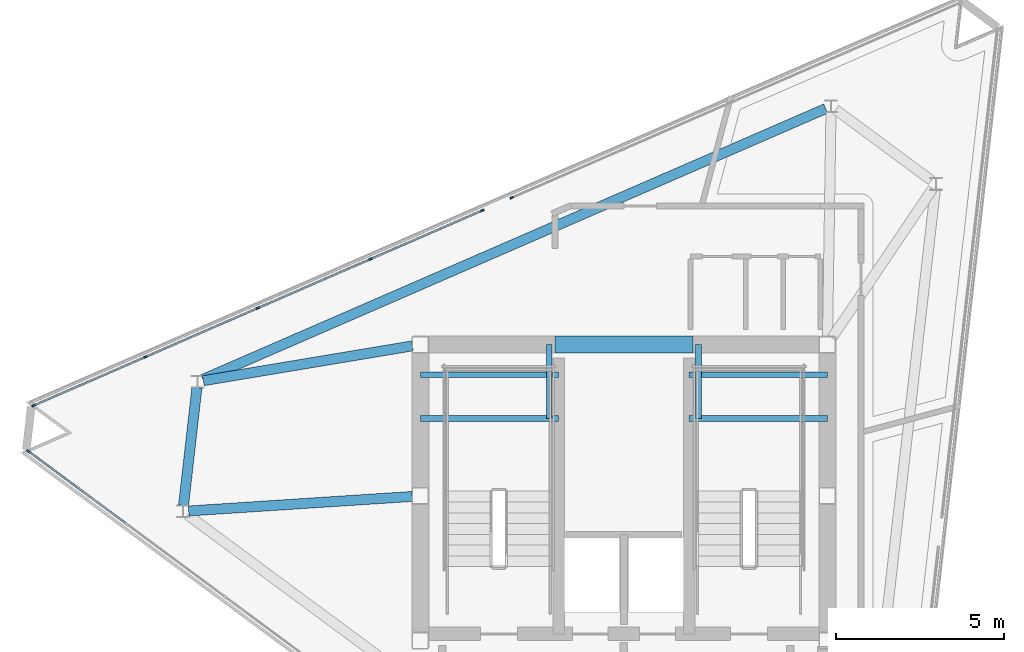
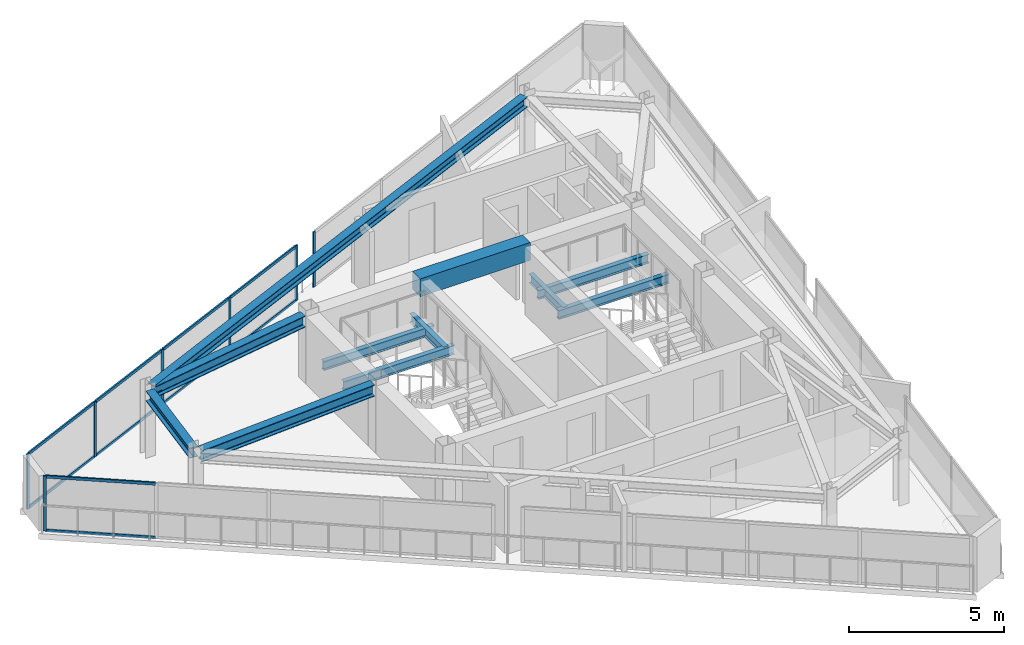
# One storey, part 4 of 9: 17 members, 11 beams, 3 elements without a shape of their own.
"""IFC4 building model written with IfcOpenShell, lengths in metres."""

from ifc_helpers import new_model, si_unit, direction, frame, origin, origin_2d, place, context, subcontext, project, spatial, rectangle, i_section, extrude, material, layer, layer_set, material_profile, profile_set, type_object, element, aggregate, save


model = new_model("IFC4")

# Units and contexts
model_context = context("Model", 3, precision=1e-05, world=origin(), true_north=direction((0.0, 1.0)))
body_context = subcontext(model_context, "Body", "Model", "MODEL_VIEW")
ifc_project = project(units=[si_unit("LENGTHUNIT", "METRE"), si_unit("AREAUNIT", "SQUARE_METRE"), si_unit("VOLUMEUNIT", "CUBIC_METRE"), si_unit("PLANEANGLEUNIT", "RADIAN"), si_unit("MASSUNIT", "GRAM", prefix="KILO")], contexts=[model_context])

# Site, building, storey
site_placement = place(None, origin())
site = spatial("IfcSite", under=ifc_project, at=site_placement, CompositionType="ELEMENT")
building_placement = place(site_placement, origin())
building = spatial("IfcBuilding", under=site, at=building_placement, Name="Rocaltana Carrier Exchange", CompositionType="ELEMENT")
storey_placement = place(building_placement, frame((0.0, 0.0, 243.360107421875)))
storey = spatial("IfcBuildingStorey", under=building, at=storey_placement, Name="L77", CompositionType="ELEMENT", Elevation=243.360107421875)

# Curtain wall, member
ifc_material_1 = material(Name="Aluminium 6063-T6", Category="aluminium")
ifc_layer = layer(ifc_material_1, 0.110107421875)
ifc_layer_set = layer_set([ifc_layer], Name="Aluminium 6063-T6")
curtain_wall_type = type_object("IfcCurtainWallType", Name="Crown Lantern Faceted Curtain Wall CW-06", PredefinedType="NOTDEFINED", material=ifc_layer_set)
curtain_wall_1_placement = place(storey_placement, origin())
curtain_wall_1 = element("IfcCurtainWall", 1, at=curtain_wall_1_placement, inside=storey, type_object=curtain_wall_type, Name="L77 CW-06 Run CW06-L77-F2S1", PredefinedType="NOTDEFINED")
ifc_material_2 = material(Name="Aluminium 6063-T6", Category="aluminium")
ifc_material_profile_1 = material_profile(ifc_material_2, rectangle(XDim=0.054931640625, YDim=0.110107421875, at=origin_2d()), Name="AL-55X110")
ifc_profile_set_1 = profile_set([ifc_material_profile_1], Name="Aluminium 6063-T6")
member_type_1 = type_object("IfcMemberType", Name="CW-06 Mullion AL-55X110", PredefinedType="MULLION", material=ifc_profile_set_1)
member_1_placement = place(storey_placement, frame((-3.3349609375, 8.867431640625, 0.0), z_axis=(0.0, 0.0, 1.0), x_axis=(0.398752158171, -0.917058731137, 0.0)))
member_1 = element("IfcMember", 2, at=member_1_placement, type_object=member_type_1, Name="CW-06 mullion 5", PredefinedType="MULLION", context=body_context, shape_type="SweptSolid", body=[
    extrude(rectangle(XDim=0.054931640625, YDim=0.110107421875, at=origin_2d()), origin(), (0.0, 0.0, 1.0), 2.16796875),
])
aggregate(curtain_wall_1, [member_1])

# Curtain wall, members
curtain_wall_2_placement = place(storey_placement, origin())
curtain_wall_2 = element("IfcCurtainWall", 3, at=curtain_wall_2_placement, inside=storey, type_object=curtain_wall_type, Name="L77 CW-06 Run CW06-L77-F2S2", PredefinedType="NOTDEFINED")
member_2_placement = place(storey_placement, frame((-4.210693359375, 8.486572265625, 0.0), z_axis=(0.0, 0.0, 1.0), x_axis=(0.398752158171, -0.917058731137, 0.0)))
member_2 = element("IfcMember", 4, at=member_2_placement, type_object=member_type_1, Name="CW-06 mullion 1", PredefinedType="MULLION", context=body_context, shape_type="SweptSolid", body=[
    extrude(rectangle(XDim=0.054931640625, YDim=0.110107421875, at=origin_2d()), origin(), (0.0, 0.0, 1.0), 2.16796875),
])
member_3_placement = place(storey_placement, frame((-7.53271484375, 7.042236328125, 0.0), z_axis=(0.0, 0.0, 1.0), x_axis=(0.398752158171, -0.917058731137, 0.0)))
member_3 = element("IfcMember", 5, at=member_3_placement, type_object=member_type_1, Name="CW-06 mullion 2", PredefinedType="MULLION", context=body_context, shape_type="SweptSolid", body=[
    extrude(rectangle(XDim=0.054931640625, YDim=0.110107421875, at=origin_2d()), origin(), (0.0, 0.0, 1.0), 2.16796875),
])
member_4_placement = place(storey_placement, frame((-10.880126953125, 5.586669921875, 0.0), z_axis=(0.0, 0.0, 1.0), x_axis=(0.398752158171, -0.917058731137, 0.0)))
member_4 = element("IfcMember", 6, at=member_4_placement, type_object=member_type_1, Name="CW-06 mullion 3", PredefinedType="MULLION", context=body_context, shape_type="SweptSolid", body=[
    extrude(rectangle(XDim=0.054931640625, YDim=0.110107421875, at=origin_2d()), origin(), (0.0, 0.0, 1.0), 2.16796875),
])
member_5_placement = place(storey_placement, frame((-14.227294921875, 4.13134765625, 0.0), z_axis=(0.0, 0.0, 1.0), x_axis=(0.398752158171, -0.917058731137, 0.0)))
member_5 = element("IfcMember", 7, at=member_5_placement, type_object=member_type_1, Name="CW-06 mullion 4", PredefinedType="MULLION", context=body_context, shape_type="SweptSolid", body=[
    extrude(rectangle(XDim=0.054931640625, YDim=0.110107421875, at=origin_2d()), origin(), (0.0, 0.0, 1.0), 2.16796875),
])
member_6_placement = place(storey_placement, frame((-17.54931640625, 2.686767578125, 0.0), z_axis=(0.0, 0.0, 1.0), x_axis=(0.398752158171, -0.917058731137, 0.0)))
member_6 = element("IfcMember", 8, at=member_6_placement, type_object=member_type_1, Name="CW-06 mullion 5", PredefinedType="MULLION", context=body_context, shape_type="SweptSolid", body=[
    extrude(rectangle(XDim=0.054931640625, YDim=0.110107421875, at=origin_2d()), origin(), (0.0, 0.0, 1.0), 2.16796875),
])

# Curtain wall, member
curtain_wall_3_placement = place(storey_placement, origin())
curtain_wall_3 = element("IfcCurtainWall", 9, at=curtain_wall_3_placement, inside=storey, type_object=curtain_wall_type, Name="L77 CW-06 Run CW06-L77-F3S1", PredefinedType="NOTDEFINED")
member_7_placement = place(storey_placement, frame((-17.7041015625, 1.329833984375, 0.0), z_axis=(0.0, 0.0, 1.0), x_axis=(0.594822558161, 0.803857029765, 0.0)))
member_7 = element("IfcMember", 10, at=member_7_placement, type_object=member_type_1, Name="CW-06 mullion 1", PredefinedType="MULLION", context=body_context, shape_type="SweptSolid", body=[
    extrude(rectangle(XDim=0.054931640625, YDim=0.110107421875, at=origin_2d()), origin(), (0.0, 0.0, 1.0), 2.16796875),
])

# Member
ifc_material_3 = material(Name="Aluminium 6063-T6", Category="aluminium")
ifc_material_profile_2 = material_profile(ifc_material_3, rectangle(XDim=0.054931640625, YDim=0.110107421875, at=origin_2d()), Name="AL-55X110")
ifc_profile_set_2 = profile_set([ifc_material_profile_2], Name="Aluminium 6063-T6")
member_type_2 = type_object("IfcMemberType", Name="CW-06 Transom AL-55X110", PredefinedType="USERDEFINED", material=ifc_profile_set_2)
member_8_placement = place(storey_placement, frame((-4.23583984375, 8.4755859375, 0.02734375), z_axis=(-0.91708311152, -0.398696082957, 0.0), x_axis=(0.398696082957, -0.91708311152, 0.0)))
member_8 = element("IfcMember", 11, at=member_8_placement, type_object=member_type_2, Name="CW-06 transom 1.1", ObjectType="TRANSOM", PredefinedType="USERDEFINED", context=body_context, shape_type="SweptSolid", body=[
    extrude(rectangle(XDim=0.054931640625, YDim=0.110107421875, at=origin_2d()), origin(), (0.0, 0.0, 1.0), 3.567626953125),
])

member_9_placement = place(storey_placement, frame((-4.23583984375, 8.4755859375, 2.140380859375), z_axis=(-0.91708311152, -0.398696082957, 0.0), x_axis=(0.398696082957, -0.91708311152, 0.0)))
member_9 = element("IfcMember", 12, at=member_9_placement, type_object=member_type_2, Name="CW-06 transom 1.2", ObjectType="TRANSOM", PredefinedType="USERDEFINED", context=body_context, shape_type="SweptSolid", body=[
    extrude(rectangle(XDim=0.054931640625, YDim=0.110107421875, at=origin_2d()), origin(), (0.0, 0.0, 1.0), 3.567626953125),
])

member_10_placement = place(storey_placement, frame((-7.55810546875, 7.03125, 0.02734375), z_axis=(-0.917041981444, -0.39879067726, 0.0), x_axis=(0.39879067726, -0.917041981444, 0.0)))
member_10 = element("IfcMember", 13, at=member_10_placement, type_object=member_type_2, Name="CW-06 transom 2.1", ObjectType="TRANSOM", PredefinedType="USERDEFINED", context=body_context, shape_type="SweptSolid", body=[
    extrude(rectangle(XDim=0.054931640625, YDim=0.110107421875, at=origin_2d()), origin(), (0.0, 0.0, 1.0), 3.594970703125),
])

member_11_placement = place(storey_placement, frame((-7.55810546875, 7.03125, 2.140380859375), z_axis=(-0.917041981444, -0.39879067726, 0.0), x_axis=(0.39879067726, -0.917041981444, 0.0)))
member_11 = element("IfcMember", 14, at=member_11_placement, type_object=member_type_2, Name="CW-06 transom 2.2", ObjectType="TRANSOM", PredefinedType="USERDEFINED", context=body_context, shape_type="SweptSolid", body=[
    extrude(rectangle(XDim=0.054931640625, YDim=0.110107421875, at=origin_2d()), origin(), (0.0, 0.0, 1.0), 3.594970703125),
])

member_12_placement = place(storey_placement, frame((-10.9052734375, 5.57568359375, 0.02734375), z_axis=(-0.917077613813, -0.398708728576, 0.0), x_axis=(0.398708728576, -0.917077613813, 0.0)))
member_12 = element("IfcMember", 15, at=member_12_placement, type_object=member_type_2, Name="CW-06 transom 3.1", ObjectType="TRANSOM", PredefinedType="USERDEFINED", context=body_context, shape_type="SweptSolid", body=[
    extrude(rectangle(XDim=0.054931640625, YDim=0.110107421875, at=origin_2d()), origin(), (0.0, 0.0, 1.0), 3.594970703125),
])

member_13_placement = place(storey_placement, frame((-10.9052734375, 5.57568359375, 2.140380859375), z_axis=(-0.917077613813, -0.398708728576, 0.0), x_axis=(0.398708728576, -0.917077613813, 0.0)))
member_13 = element("IfcMember", 16, at=member_13_placement, type_object=member_type_2, Name="CW-06 transom 3.2", ObjectType="TRANSOM", PredefinedType="USERDEFINED", context=body_context, shape_type="SweptSolid", body=[
    extrude(rectangle(XDim=0.054931640625, YDim=0.110107421875, at=origin_2d()), origin(), (0.0, 0.0, 1.0), 3.594970703125),
])

member_14_placement = place(storey_placement, frame((-14.25244140625, 4.120361328125, 0.02734375), z_axis=(-0.917058088389, -0.398753636373, 0.0), x_axis=(0.398753636373, -0.917058088389, 0.0)))
member_14 = element("IfcMember", 17, at=member_14_placement, type_object=member_type_2, Name="CW-06 transom 4.1", ObjectType="TRANSOM", PredefinedType="USERDEFINED", context=body_context, shape_type="SweptSolid", body=[
    extrude(rectangle(XDim=0.054931640625, YDim=0.110107421875, at=origin_2d()), origin(), (0.0, 0.0, 1.0), 3.567626953125),
])

member_15_placement = place(storey_placement, frame((-14.25244140625, 4.120361328125, 2.140380859375), z_axis=(-0.917058088389, -0.398753636373, 0.0), x_axis=(0.398753636373, -0.917058088389, 0.0)))
member_15 = element("IfcMember", 18, at=member_15_placement, type_object=member_type_2, Name="CW-06 transom 4.2", ObjectType="TRANSOM", PredefinedType="USERDEFINED", context=body_context, shape_type="SweptSolid", body=[
    extrude(rectangle(XDim=0.054931640625, YDim=0.110107421875, at=origin_2d()), origin(), (0.0, 0.0, 1.0), 3.567626953125),
])

aggregate(curtain_wall_2, [member_2, member_3, member_4, member_5, member_6, member_8, member_9, member_10, member_11, member_12, member_13, member_14, member_15])

member_16_placement = place(storey_placement, frame((-17.681884765625, 1.3134765625, 0.02734375), z_axis=(0.803843208125, -0.594841236593, 0.0), x_axis=(0.594841236593, 0.803843208125, 0.0)))
member_16 = element("IfcMember", 19, at=member_16_placement, type_object=member_type_2, Name="CW-06 transom 1.1", ObjectType="TRANSOM", PredefinedType="USERDEFINED", context=body_context, shape_type="SweptSolid", body=[
    extrude(rectangle(XDim=0.054931640625, YDim=0.110107421875, at=origin_2d()), origin(), (0.0, 0.0, 1.0), 3.5673828125),
])

member_17_placement = place(storey_placement, frame((-17.681884765625, 1.3134765625, 2.140380859375), z_axis=(0.803843208125, -0.594841236593, 0.0), x_axis=(0.594841236593, 0.803843208125, 0.0)))
member_17 = element("IfcMember", 20, at=member_17_placement, type_object=member_type_2, Name="CW-06 transom 1.2", ObjectType="TRANSOM", PredefinedType="USERDEFINED", context=body_context, shape_type="SweptSolid", body=[
    extrude(rectangle(XDim=0.054931640625, YDim=0.110107421875, at=origin_2d()), origin(), (0.0, 0.0, 1.0), 3.5673828125),
])

aggregate(curtain_wall_3, [member_7, member_16, member_17])

# Beams
ifc_material_4 = material(Name="Concrete C60/75", Category="concrete")
ifc_material_profile_3 = material_profile(ifc_material_4, rectangle(XDim=0.5, YDim=0.699951171875, at=origin_2d()), Name="RC-BM-500X700")
ifc_profile_set_3 = profile_set([ifc_material_profile_3], Name="Concrete C60/75")
beam_type_1 = type_object("IfcBeamType", Name="Core Coupling Lintel 500x700", PredefinedType="LINTEL", material=ifc_profile_set_3)
beam_1_placement = place(storey_placement, frame((-2.050048828125, 4.5, 2.2978515625), z_axis=(1.0, 0.0, 0.0), x_axis=(0.0, 1.0, 0.0)))
element("IfcBeam", 21, at=beam_1_placement, inside=storey, type_object=beam_type_1, Name="L77 Core Coupling Lintel CL-N", PredefinedType="LINTEL", context=body_context, shape_type="SweptSolid", body=[
    extrude(rectangle(XDim=0.5, YDim=0.699951171875, at=origin_2d()), origin(), (0.0, 0.0, 1.0), 4.10009765625),
])
ifc_material_5 = material(Name="Steel S460", Category="steel")
ifc_material_profile_4 = material_profile(ifc_material_5, i_section(OverallWidth=0.300048828125, OverallDepth=0.449951171875, WebThickness=0.013916015625, FlangeThickness=0.02587890625, FilletRadius=0.027099609375, at=origin_2d()), Name="HEB450")
ifc_profile_set_4 = profile_set([ifc_material_profile_4], Name="Steel S460")
beam_type_2 = type_object("IfcBeamType", Name="Crown Frame Rafter HEB450", PredefinedType="BEAM", material=ifc_profile_set_4)
beam_2_placement = place(storey_placement, frame((-6.288818359375, 4.460205078125, 2.4228515625), z_axis=(-0.986396018954, -0.164386416079, 0.0), x_axis=(0.164386416079, -0.986396018954, 0.0)))
element("IfcBeam", 22, at=beam_2_placement, inside=storey, type_object=beam_type_2, Name="CRG-RAD-L77-04", PredefinedType="BEAM", context=body_context, shape_type="SweptSolid", body=[
    extrude(i_section(OverallWidth=0.300048828125, OverallDepth=0.449951171875, WebThickness=0.013916015625, FlangeThickness=0.02587890625, FilletRadius=0.027099609375, at=origin_2d()), origin(), (0.0, 0.0, 1.0), 6.298583984375),
])
beam_3_placement = place(storey_placement, frame((-6.29150390625, -0.015625, 2.4228515625), z_axis=(-0.997900854841, -0.064760203118, 0.0), x_axis=(0.064760203118, -0.997900854841, 0.0)))
element("IfcBeam", 23, at=beam_3_placement, inside=storey, type_object=beam_type_2, Name="CRG-RAD-L77-05", PredefinedType="BEAM", context=body_context, shape_type="SweptSolid", body=[
    extrude(i_section(OverallWidth=0.300048828125, OverallDepth=0.449951171875, WebThickness=0.013916015625, FlangeThickness=0.02587890625, FilletRadius=0.027099609375, at=origin_2d()), origin(), (0.0, 0.0, 1.0), 6.661376953125),
])
ifc_material_6 = material(Name="Steel S460", Category="steel")
ifc_material_profile_5 = material_profile(ifc_material_6, i_section(OverallWidth=0.300048828125, OverallDepth=0.39990234375, WebThickness=0.013427734375, FlangeThickness=0.02392578125, FilletRadius=0.027099609375, at=origin_2d()), Name="HEB400")
ifc_profile_set_5 = profile_set([ifc_material_profile_5], Name="Steel S460")
beam_type_3 = type_object("IfcBeamType", Name="Crown Ring Beam HEB400", PredefinedType="BEAM", material=ifc_profile_set_5)
beam_4_placement = place(storey_placement, frame((5.999755859375, 11.515380859375, 2.447998046875), z_axis=(-0.917063134641, -0.398742030744, 0.0), x_axis=(0.398742030744, -0.917063134641, 0.0)))
element("IfcBeam", 24, at=beam_4_placement, inside=storey, type_object=beam_type_3, Name="CRG-RING-L77-03", PredefinedType="BEAM", context=body_context, shape_type="SweptSolid", body=[
    extrude(i_section(OverallWidth=0.300048828125, OverallDepth=0.39990234375, WebThickness=0.013427734375, FlangeThickness=0.02392578125, FilletRadius=0.027099609375, at=origin_2d()), origin(), (0.0, 0.0, 1.0), 20.18798828125),
])
beam_5_placement = place(storey_placement, frame((-12.693115234375, 3.223388671875, 2.447998046875), z_axis=(-0.11317028036, -0.993575607412, 0.0), x_axis=(0.993575607412, -0.11317028036, 0.0)))
element("IfcBeam", 25, at=beam_5_placement, inside=storey, type_object=beam_type_3, Name="CRG-RING-L77-04", PredefinedType="BEAM", context=body_context, shape_type="SweptSolid", body=[
    extrude(i_section(OverallWidth=0.300048828125, OverallDepth=0.39990234375, WebThickness=0.013427734375, FlangeThickness=0.02392578125, FilletRadius=0.027099609375, at=origin_2d()), origin(), (0.0, 0.0, 1.0), 3.531494140625),
])
ifc_material_7 = material(Name="Steel S355", Category="steel")
ifc_material_profile_6 = material_profile(ifc_material_7, i_section(OverallWidth=0.172119140625, OverallDepth=0.35791015625, WebThickness=0.0078125, FlangeThickness=0.01318359375, FilletRadius=0.011962890625, at=origin_2d()), Name="W14X38")
ifc_profile_set_6 = profile_set([ifc_material_profile_6], Name="Steel S355")
beam_type_4 = type_object("IfcBeamType", Name="Floor Joist W14X38", PredefinedType="JOIST", material=ifc_profile_set_6)
for number, where, z_axis, x_axis, name in (
    (26, (-6.050048828125, 2.300048828125, 1.060791015625), (1.0, 0.0, 0.0), (0.0, 1.0, 0.0), "L77 ST-1 Landing Carrier 1"),
    (27, (1.93994140625, 2.300048828125, 1.060791015625), (1.0, 0.0, 0.0), (0.0, 1.0, 0.0), "L77 ST-2 Landing Carrier 1"),
    (28, (-6.050048828125, 3.60009765625, 1.060791015625), (1.0, 0.0, 0.0), (0.0, 1.0, 0.0), "L77 ST-1 Landing Carrier 2"),
    (29, (1.93994140625, 3.60009765625, 1.060791015625), (1.0, 0.0, 0.0), (0.0, 1.0, 0.0), "L77 ST-2 Landing Carrier 2"),
):
    element("IfcBeam", number, at=place(storey_placement, frame(where, z_axis=z_axis, x_axis=x_axis)), inside=storey, type_object=beam_type_4, Name=name, PredefinedType="JOIST", context=body_context, shape_type="SweptSolid", body=[
        extrude(i_section(OverallWidth=0.172119140625, OverallDepth=0.35791015625, WebThickness=0.0078125, FlangeThickness=0.01318359375, FilletRadius=0.011962890625, at=origin_2d()), origin(), (0.0, 0.0, 1.0), 4.110107421875),
    ])
for number, where, z_axis, x_axis, name in (
    (30, (-2.219970703125, 2.300048828125, 1.060791015625), (0.0, 1.0, 0.0), (-1.0, 0.0, 0.0), "L77 ST-1 Landing Cross Trimmer"),
    (31, (2.219970703125, 2.300048828125, 1.060791015625), (0.0, 1.0, 0.0), (-1.0, 0.0, 0.0), "L77 ST-2 Landing Cross Trimmer"),
):
    element("IfcBeam", number, at=place(storey_placement, frame(where, z_axis=z_axis, x_axis=x_axis)), inside=storey, type_object=beam_type_4, Name=name, PredefinedType="JOIST", context=body_context, shape_type="SweptSolid", body=[
        extrude(i_section(OverallWidth=0.172119140625, OverallDepth=0.35791015625, WebThickness=0.0078125, FlangeThickness=0.01318359375, FilletRadius=0.011962890625, at=origin_2d()), origin(), (0.0, 0.0, 1.0), 2.199951171875),
    ])

save(model, "model.ifc")
